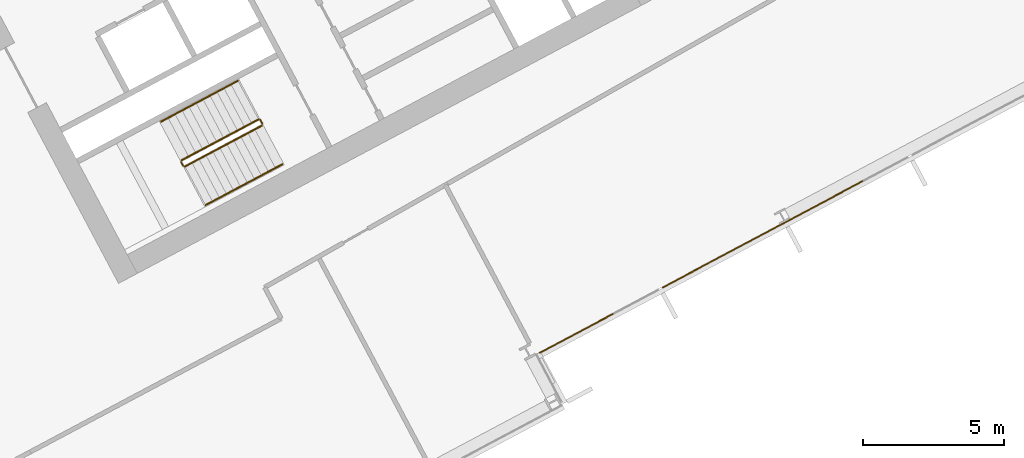
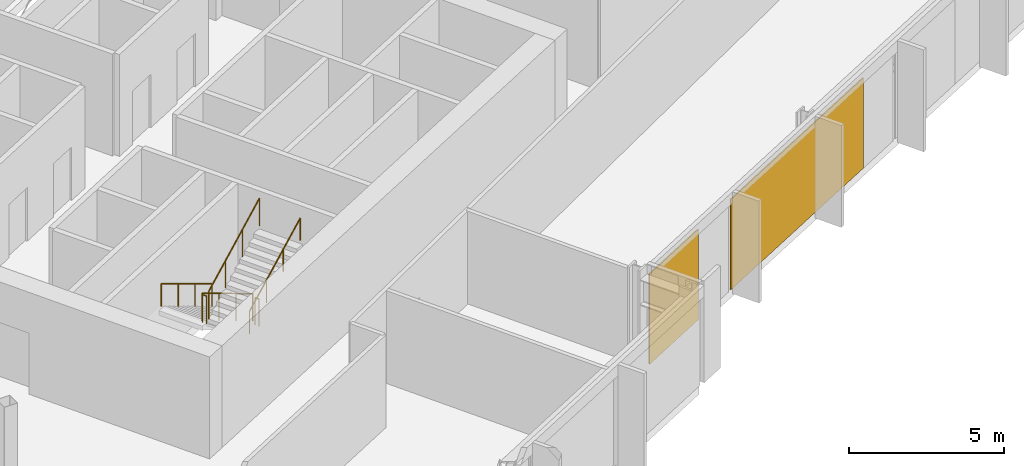
# One storey, part 25 of 28: 6 railings, 2 coverings, 1 element without a shape of its own.
"""IFC4 building model written with IfcOpenShell, lengths in metres."""

from ifc_helpers import new_model, si_unit, direction, frame, origin, origin_2d, place, context, subcontext, project, spatial, polyline, rectangle, outline, extrude, material, layer, layer_set, type_object, element, aggregate, save


model = new_model("IFC4")

# Units and contexts
model_context = context("Model", 3, precision=1e-05, world=origin(), true_north=direction((0.0, 1.0)))
body_context = subcontext(model_context, "Body", "Model", "MODEL_VIEW")
ifc_project = project(units=[si_unit("LENGTHUNIT", "METRE"), si_unit("AREAUNIT", "SQUARE_METRE"), si_unit("VOLUMEUNIT", "CUBIC_METRE"), si_unit("PLANEANGLEUNIT", "RADIAN"), si_unit("MASSUNIT", "GRAM", prefix="KILO")], contexts=[model_context])

# Site, building, storey
site_placement = place(None, origin())
site = spatial("IfcSite", under=ifc_project, at=site_placement, CompositionType="ELEMENT")
building_placement = place(site_placement, origin())
building = spatial("IfcBuilding", under=site, at=building_placement, Name="Cormorant Relay Tower", CompositionType="ELEMENT")
storey_placement = place(building_placement, frame((0.0, 0.0, 146.199951171875)))
storey = spatial("IfcBuildingStorey", under=building, at=storey_placement, Name="L30", CompositionType="ELEMENT", Elevation=146.199951171875)

# Curtain wall, coverings
ifc_material_1 = material(Name="Aluminium 6063-T6 anodised bronze", Category="aluminium")
ifc_layer_1 = layer(ifc_material_1, 0.199951171875)
ifc_layer_set_1 = layer_set([ifc_layer_1], Name="CW1 unitised bronze curtain wall with vertical fins")
curtain_wall_type = type_object("IfcCurtainWallType", Name="CW1 unitised bronze curtain wall with vertical fins", PredefinedType="NOTDEFINED", material=ifc_layer_set_1)
curtain_wall_placement = place(storey_placement, origin())
curtain_wall = element("IfcCurtainWall", 1, at=curtain_wall_placement, inside=storey, type_object=curtain_wall_type, Name="CW1 curtain wall 4", PredefinedType="NOTDEFINED")
ifc_material_2 = material(Name="Pale bronze anodised aluminium insulated panel", Category="aluminium")
ifc_layer_2 = layer(ifc_material_2, 0.0400390625)
ifc_layer_set_2 = layer_set([ifc_layer_2], Name="CW1 pale bronze insulated panel 40")
covering_type = type_object("IfcCoveringType", Name="CW1 pale bronze insulated panel 40", PredefinedType="CLADDING", material=ifc_layer_set_2)
covering_1_placement = place(storey_placement, frame((35.09765625, -2.879638671875, 0.0), z_axis=(0.0, 0.0, 1.0), x_axis=(0.882947592859, 0.469471562786, 0.0)))
covering_1 = element("IfcCovering", 2, at=covering_1_placement, type_object=covering_type, Name="CW1 panel S00", PredefinedType="CLADDING", context=body_context, shape_type="SweptSolid", body=[
    extrude(rectangle(XDim=2.97509765625, YDim=0.0400390625, at=origin_2d()), origin(), (0.0, 0.0, 1.0), 3.550048828125),
])
covering_2_placement = place(storey_placement, frame((41.686767578125, 0.623779296875, 0.0), z_axis=(0.0, 0.0, 1.0), x_axis=(0.882947592859, 0.469471562786, 0.0)))
covering_2 = element("IfcCovering", 3, at=covering_2_placement, type_object=covering_type, Name="CW1 panel S02", PredefinedType="CLADDING", context=body_context, shape_type="SweptSolid", body=[
    extrude(rectangle(XDim=8.050048828125, YDim=0.0400390625, at=origin_2d()), origin(), (0.0, 0.0, 1.0), 3.550048828125),
])
aggregate(curtain_wall, [covering_1, covering_2])

# Railings
ifc_material_3 = material(Name="Steel ASTM A572 Grade 50 (Fy 345 MPa)", Category="steel")
railing_type_1 = type_object("IfcRailingType", Name="Stair guard 1100", PredefinedType="GUARDRAIL", material=ifc_material_3)
railing_1_placement = place(storey_placement, frame((23.83837890625, 4.6904296875, 0.166748046875)))
element("IfcRailing", 4, at=railing_1_placement, inside=storey, type_object=railing_type_1, Name="L30 B1 stair guard 1", PredefinedType="GUARDRAIL", context=body_context, shape_type="SweptSolid", body=[
    extrude(outline(polyline([(0.022216796875, 0.00927734375), (0.00927734375, 0.022216796875), (-0.00927734375, 0.022216796875), (-0.022216796875, 0.00927734375), (-0.022216796875, -0.00927734375), (-0.00927734375, -0.022216796875), (0.00927734375, -0.022216796875), (0.022216796875, -0.00927734375), (0.022216796875, 0.00927734375)])), frame((0.0, 0.0, 1.076171875), z_axis=(-0.758713656843, -0.403434867536, 0.511462505542), x_axis=(0.469489399267, -0.882938108802, 0.0)), (0.0, 0.0, 1.0), 3.584228515625),
    extrude(outline(polyline([(0.019287109375, 0.008056640625), (0.008056640625, 0.019287109375), (-0.008056640625, 0.019287109375), (-0.019287109375, 0.008056640625), (-0.019287109375, -0.008056640625), (-0.008056640625, -0.019287109375), (0.008056640625, -0.019287109375), (0.019287109375, -0.008056640625), (0.019287109375, 0.008056640625)])), origin(), (0.0, 0.0, 1.0), 1.052001953125),
    extrude(outline(polyline([(0.019287109375, 0.008056640625), (0.008056640625, 0.019287109375), (-0.008056640625, 0.019287109375), (-0.019287109375, 0.008056640625), (-0.019287109375, -0.008056640625), (-0.008056640625, -0.019287109375), (0.008056640625, -0.019287109375), (0.019287109375, -0.008056640625), (0.019287109375, 0.008056640625)])), frame((-0.906494140625, -0.48193359375, 0.611083984375)), (0.0, 0.0, 1.0), 1.052001953125),
    extrude(outline(polyline([(0.019287109375, 0.008056640625), (0.008056640625, 0.019287109375), (-0.008056640625, 0.019287109375), (-0.019287109375, 0.008056640625), (-0.019287109375, -0.008056640625), (-0.008056640625, -0.019287109375), (0.008056640625, -0.019287109375), (0.019287109375, -0.008056640625), (0.019287109375, 0.008056640625)])), frame((-1.81298828125, -0.964111328125, 1.22216796875)), (0.0, 0.0, 1.0), 1.052001953125),
    extrude(outline(polyline([(0.019287109375, 0.008056640625), (0.008056640625, 0.019287109375), (-0.008056640625, 0.019287109375), (-0.019287109375, 0.008056640625), (-0.019287109375, -0.008056640625), (-0.008056640625, -0.019287109375), (0.008056640625, -0.019287109375), (0.019287109375, -0.008056640625), (0.019287109375, 0.008056640625)])), frame((-2.719482421875, -1.446044921875, 1.833251953125)), (0.0, 0.0, 1.0), 1.052001953125),
])
railing_2_placement = place(storey_placement, frame((21.09814453125, 3.1767578125, 2.0)))
element("IfcRailing", 5, at=railing_2_placement, inside=storey, type_object=railing_type_1, Name="L30 B1 stair guard 2", PredefinedType="GUARDRAIL", context=body_context, shape_type="SweptSolid", body=[
    extrude(outline(polyline([(0.022216796875, 0.00927734375), (0.00927734375, 0.022216796875), (-0.00927734375, 0.022216796875), (-0.022216796875, 0.00927734375), (-0.022216796875, -0.00927734375), (-0.00927734375, -0.022216796875), (0.00927734375, -0.022216796875), (0.022216796875, -0.00927734375), (0.022216796875, 0.00927734375)])), frame((0.0, 0.0, 1.076171875), z_axis=(0.469234640946, -0.883073525669, 0.0), x_axis=(0.883073525669, 0.469234640946, 0.0)), (0.0, 0.0, 1.0), 0.14990234375),
    extrude(outline(polyline([(0.019287109375, 0.008056640625), (0.008056640625, 0.019287109375), (-0.008056640625, 0.019287109375), (-0.019287109375, 0.008056640625), (-0.019287109375, -0.008056640625), (-0.008056640625, -0.019287109375), (0.008056640625, -0.019287109375), (0.019287109375, -0.008056640625), (0.019287109375, 0.008056640625)])), origin(), (0.0, 0.0, 1.0), 1.052001953125),
    extrude(outline(polyline([(0.019287109375, 0.008056640625), (0.008056640625, 0.019287109375), (-0.008056640625, 0.019287109375), (-0.019287109375, 0.008056640625), (-0.019287109375, -0.008056640625), (-0.008056640625, -0.019287109375), (0.008056640625, -0.019287109375), (0.019287109375, -0.008056640625), (0.019287109375, 0.008056640625)])), frame((0.0703125, -0.13232421875, 0.0)), (0.0, 0.0, 1.0), 1.052001953125),
])
railing_3_placement = place(storey_placement, frame((21.236083984375, 3.023681640625, 2.166748046875)))
element("IfcRailing", 6, at=railing_3_placement, inside=storey, type_object=railing_type_1, Name="L30 B1 stair guard 3", PredefinedType="GUARDRAIL", context=body_context, shape_type="SweptSolid", body=[
    extrude(outline(polyline([(0.022216796875, 0.00927734375), (0.00927734375, 0.022216796875), (-0.00927734375, 0.022216796875), (-0.022216796875, 0.00927734375), (-0.022216796875, -0.00927734375), (-0.00927734375, -0.022216796875), (0.00927734375, -0.022216796875), (0.022216796875, -0.00927734375), (0.022216796875, 0.00927734375)])), frame((0.0, 0.0, 1.076171875), z_axis=(0.758713656843, 0.403434867536, 0.511462505542), x_axis=(-0.469489399267, 0.882938108802, 0.0)), (0.0, 0.0, 1.0), 3.584228515625),
    extrude(outline(polyline([(0.019287109375, 0.008056640625), (0.008056640625, 0.019287109375), (-0.008056640625, 0.019287109375), (-0.019287109375, 0.008056640625), (-0.019287109375, -0.008056640625), (-0.008056640625, -0.019287109375), (0.008056640625, -0.019287109375), (0.019287109375, -0.008056640625), (0.019287109375, 0.008056640625)])), origin(), (0.0, 0.0, 1.0), 1.052001953125),
    extrude(outline(polyline([(0.019287109375, 0.008056640625), (0.008056640625, 0.019287109375), (-0.008056640625, 0.019287109375), (-0.019287109375, 0.008056640625), (-0.019287109375, -0.008056640625), (-0.008056640625, -0.019287109375), (0.008056640625, -0.019287109375), (0.019287109375, -0.008056640625), (0.019287109375, 0.008056640625)])), frame((0.906494140625, 0.48193359375, 0.611083984375)), (0.0, 0.0, 1.0), 1.052001953125),
    extrude(outline(polyline([(0.019287109375, 0.008056640625), (0.008056640625, 0.019287109375), (-0.008056640625, 0.019287109375), (-0.019287109375, 0.008056640625), (-0.019287109375, -0.008056640625), (-0.008056640625, -0.019287109375), (0.008056640625, -0.019287109375), (0.019287109375, -0.008056640625), (0.019287109375, 0.008056640625)])), frame((1.81298828125, 0.964111328125, 1.22216796875)), (0.0, 0.0, 1.0), 1.052001953125),
    extrude(outline(polyline([(0.019287109375, 0.008056640625), (0.008056640625, 0.019287109375), (-0.008056640625, 0.019287109375), (-0.019287109375, 0.008056640625), (-0.019287109375, -0.008056640625), (-0.008056640625, -0.019287109375), (0.008056640625, -0.019287109375), (0.019287109375, -0.008056640625), (0.019287109375, 0.008056640625)])), frame((2.719482421875, 1.446044921875, 1.833251953125)), (0.0, 0.0, 1.0), 1.052001953125),
])
railing_4_placement = place(storey_placement, frame((23.906005859375, 4.669677734375, 0.0)))
element("IfcRailing", 7, at=railing_4_placement, inside=storey, type_object=railing_type_1, Name="L30 B1 stair guard 4", PredefinedType="GUARDRAIL", context=body_context, shape_type="SweptSolid", body=[
    extrude(outline(polyline([(0.022216796875, 0.00927734375), (0.00927734375, 0.022216796875), (-0.00927734375, 0.022216796875), (-0.022216796875, 0.00927734375), (-0.022216796875, -0.00927734375), (-0.00927734375, -0.022216796875), (0.00927734375, -0.022216796875), (0.022216796875, -0.00927734375), (0.022216796875, 0.00927734375)])), frame((0.0, 0.0, 1.076171875), z_axis=(0.469234640946, -0.883073525669, 0.0), x_axis=(0.883073525669, 0.469234640946, 0.0)), (0.0, 0.0, 1.0), 0.14990234375),
    extrude(outline(polyline([(0.019287109375, 0.008056640625), (0.008056640625, 0.019287109375), (-0.008056640625, 0.019287109375), (-0.019287109375, 0.008056640625), (-0.019287109375, -0.008056640625), (-0.008056640625, -0.019287109375), (0.008056640625, -0.019287109375), (0.019287109375, -0.008056640625), (0.019287109375, 0.008056640625)])), origin(), (0.0, 0.0, 1.0), 1.052001953125),
    extrude(outline(polyline([(0.019287109375, 0.008056640625), (0.008056640625, 0.019287109375), (-0.008056640625, 0.019287109375), (-0.019287109375, 0.008056640625), (-0.019287109375, -0.008056640625), (-0.008056640625, -0.019287109375), (0.008056640625, -0.019287109375), (0.019287109375, -0.008056640625), (0.019287109375, 0.008056640625)])), frame((0.0703125, -0.13232421875, 0.0)), (0.0, 0.0, 1.0), 1.052001953125),
])
ifc_material_4 = material(Name="Steel ASTM A572 Grade 50 (Fy 345 MPa)", Category="steel")
railing_type_2 = type_object("IfcRailingType", Name="Stair handrail 900", PredefinedType="HANDRAIL", material=ifc_material_4)
railing_5_placement = place(storey_placement, frame((23.110595703125, 6.05908203125, 0.166748046875)))
element("IfcRailing", 8, at=railing_5_placement, inside=storey, type_object=railing_type_2, Name="L30 B1 stair handrail 1", PredefinedType="HANDRAIL", context=body_context, shape_type="SweptSolid", body=[
    extrude(outline(polyline([(0.022216796875, 0.00927734375), (0.00927734375, 0.022216796875), (-0.00927734375, 0.022216796875), (-0.022216796875, 0.00927734375), (-0.022216796875, -0.00927734375), (-0.00927734375, -0.022216796875), (0.00927734375, -0.022216796875), (0.022216796875, -0.00927734375), (0.022216796875, 0.00927734375)])), frame((0.0, 0.0, 0.8759765625), z_axis=(-0.758713656843, -0.403434867536, 0.511462505542), x_axis=(0.469489399267, -0.882938108802, 0.0)), (0.0, 0.0, 1.0), 3.584228515625),
    extrude(outline(polyline([(0.019287109375, 0.008056640625), (0.008056640625, 0.019287109375), (-0.008056640625, 0.019287109375), (-0.019287109375, 0.008056640625), (-0.019287109375, -0.008056640625), (-0.008056640625, -0.019287109375), (0.008056640625, -0.019287109375), (0.019287109375, -0.008056640625), (0.019287109375, 0.008056640625)])), origin(), (0.0, 0.0, 1.0), 0.851806640625),
    extrude(outline(polyline([(0.019287109375, 0.008056640625), (0.008056640625, 0.019287109375), (-0.008056640625, 0.019287109375), (-0.019287109375, 0.008056640625), (-0.019287109375, -0.008056640625), (-0.008056640625, -0.019287109375), (0.008056640625, -0.019287109375), (0.019287109375, -0.008056640625), (0.019287109375, 0.008056640625)])), frame((-0.906494140625, -0.48193359375, 0.611083984375)), (0.0, 0.0, 1.0), 0.851806640625),
    extrude(outline(polyline([(0.019287109375, 0.008056640625), (0.008056640625, 0.019287109375), (-0.008056640625, 0.019287109375), (-0.019287109375, 0.008056640625), (-0.019287109375, -0.008056640625), (-0.008056640625, -0.019287109375), (0.008056640625, -0.019287109375), (0.019287109375, -0.008056640625), (0.019287109375, 0.008056640625)])), frame((-1.81298828125, -0.964111328125, 1.22216796875)), (0.0, 0.0, 1.0), 0.851806640625),
    extrude(outline(polyline([(0.019287109375, 0.008056640625), (0.008056640625, 0.019287109375), (-0.008056640625, 0.019287109375), (-0.019287109375, 0.008056640625), (-0.019287109375, -0.008056640625), (-0.008056640625, -0.019287109375), (0.008056640625, -0.019287109375), (0.019287109375, -0.008056640625), (0.019287109375, 0.008056640625)])), frame((-2.719482421875, -1.446044921875, 1.833251953125)), (0.0, 0.0, 1.0), 0.851806640625),
])
railing_6_placement = place(storey_placement, frame((21.9638671875, 1.6552734375, 2.166748046875)))
element("IfcRailing", 9, at=railing_6_placement, inside=storey, type_object=railing_type_2, Name="L30 B1 stair handrail 2", PredefinedType="HANDRAIL", context=body_context, shape_type="SweptSolid", body=[
    extrude(outline(polyline([(0.022216796875, 0.00927734375), (0.00927734375, 0.022216796875), (-0.00927734375, 0.022216796875), (-0.022216796875, 0.00927734375), (-0.022216796875, -0.00927734375), (-0.00927734375, -0.022216796875), (0.00927734375, -0.022216796875), (0.022216796875, -0.00927734375), (0.022216796875, 0.00927734375)])), frame((0.0, 0.0, 0.8759765625), z_axis=(0.758734504837, 0.403377838015, 0.511476559549), x_axis=(-0.469427602063, 0.882970965786, 0.0)), (0.0, 0.0, 1.0), 3.584228515625),
    extrude(outline(polyline([(0.019287109375, 0.008056640625), (0.008056640625, 0.019287109375), (-0.008056640625, 0.019287109375), (-0.019287109375, 0.008056640625), (-0.019287109375, -0.008056640625), (-0.008056640625, -0.019287109375), (0.008056640625, -0.019287109375), (0.019287109375, -0.008056640625), (0.019287109375, 0.008056640625)])), origin(), (0.0, 0.0, 1.0), 0.851806640625),
    extrude(outline(polyline([(0.019287109375, 0.008056640625), (0.008056640625, 0.019287109375), (-0.008056640625, 0.019287109375), (-0.019287109375, 0.008056640625), (-0.019287109375, -0.008056640625), (-0.008056640625, -0.019287109375), (0.008056640625, -0.019287109375), (0.019287109375, -0.008056640625), (0.019287109375, 0.008056640625)])), frame((0.906494140625, 0.48193359375, 0.611083984375)), (0.0, 0.0, 1.0), 0.851806640625),
    extrude(outline(polyline([(0.019287109375, 0.008056640625), (0.008056640625, 0.019287109375), (-0.008056640625, 0.019287109375), (-0.019287109375, 0.008056640625), (-0.019287109375, -0.008056640625), (-0.008056640625, -0.019287109375), (0.008056640625, -0.019287109375), (0.019287109375, -0.008056640625), (0.019287109375, 0.008056640625)])), frame((1.81298828125, 0.9638671875, 1.22216796875)), (0.0, 0.0, 1.0), 0.851806640625),
    extrude(outline(polyline([(0.019287109375, 0.008056640625), (0.008056640625, 0.019287109375), (-0.008056640625, 0.019287109375), (-0.019287109375, 0.008056640625), (-0.019287109375, -0.008056640625), (-0.008056640625, -0.019287109375), (0.008056640625, -0.019287109375), (0.019287109375, -0.008056640625), (0.019287109375, 0.008056640625)])), frame((2.719482421875, 1.44580078125, 1.833251953125)), (0.0, 0.0, 1.0), 0.851806640625),
])

save(model, "model.ifc")
